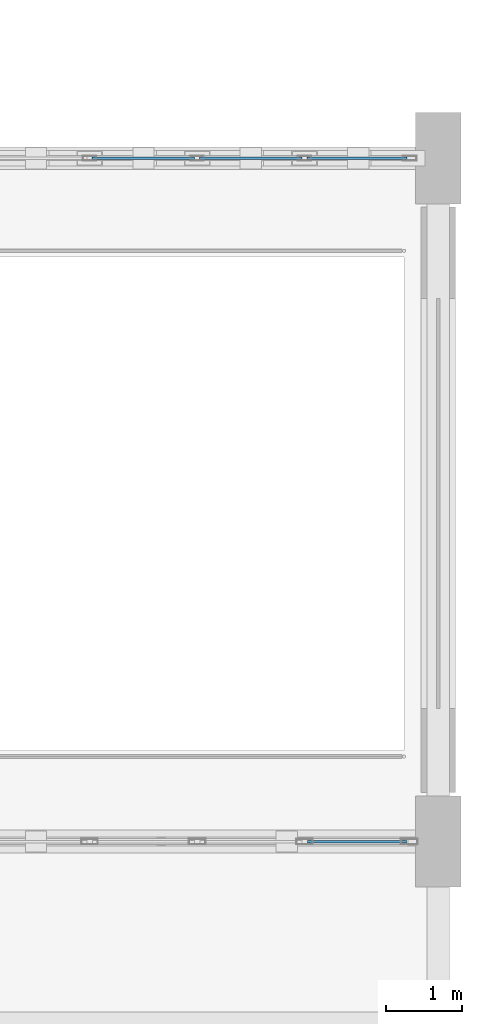
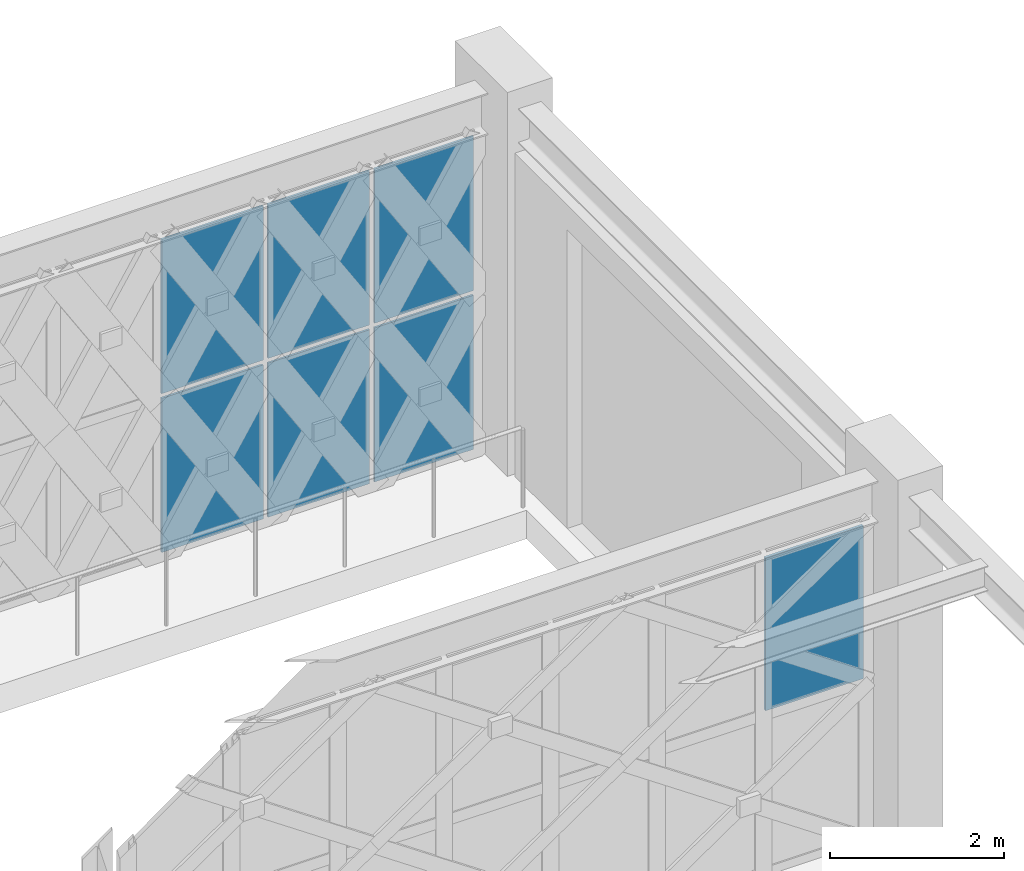
# One storey, part 113 of 140: 7 plates, 2 elements without a shape of their own.
"""IFC4 building model written with IfcOpenShell, lengths in metres."""

from ifc_helpers import new_model, si_unit, direction, frame, origin, origin_2d, place, context, subcontext, project, spatial, rectangle, extrude, material, layer, layer_set, type_object, element, aggregate, save


model = new_model("IFC4")

# Units and contexts
model_context = context("Model", 3, precision=1e-05, world=origin(), true_north=direction((0.0, 1.0)))
body_context = subcontext(model_context, "Body", "Model", "MODEL_VIEW")
ifc_project = project(units=[si_unit("LENGTHUNIT", "METRE"), si_unit("AREAUNIT", "SQUARE_METRE"), si_unit("VOLUMEUNIT", "CUBIC_METRE"), si_unit("PLANEANGLEUNIT", "RADIAN"), si_unit("MASSUNIT", "GRAM", prefix="KILO")], contexts=[model_context])

# Site, building, storey
site_placement = place(None, origin())
site = spatial("IfcSite", under=ifc_project, at=site_placement, CompositionType="ELEMENT")
building_placement = place(site_placement, origin())
building = spatial("IfcBuilding", under=site, at=building_placement, Name="Haizhuo Lancet Aquarium", CompositionType="ELEMENT")
storey_placement = place(building_placement, origin())
storey = spatial("IfcBuildingStorey", under=building, at=storey_placement, Name="L00", CompositionType="ELEMENT", Elevation=0.0)

# Curtain wall, plates
ifc_material_1 = material(Name="Aluminium 6063-T6", Category="aluminium")
curtain_wall_type_1 = type_object("IfcCurtainWallType", Name="CWD-9910x4530", PredefinedType="NOTDEFINED", material=ifc_material_1)
curtain_wall_1_placement = place(storey_placement, origin())
curtain_wall_1 = element("IfcCurtainWall", 1, at=curtain_wall_1_placement, inside=storey, type_object=curtain_wall_type_1, Name="L00 curtain wall CW-V7-L00-277", PredefinedType="NOTDEFINED")
ifc_material_2 = material(Name="Laminated Low-E Glass", Category="glass")
ifc_layer_1 = layer(ifc_material_2, 0.028076171875)
ifc_layer_set_1 = layer_set([ifc_layer_1], Name="Laminated Low-E Glass")
plate_type_1 = type_object("IfcPlateType", Name="CW-PNL-1", PredefinedType="CURTAIN_PANEL", material=ifc_layer_set_1)
plate_1_placement = place(storey_placement, frame((78.615966796875, 18.0, 0.06494140625), z_axis=(0.0, 0.0, 1.0), x_axis=(1.0, 0.0, 0.0)))
plate_1 = element("IfcPlate", 2, at=plate_1_placement, type_object=plate_type_1, Name="CWD-99x45 panel 5.1", PredefinedType="CURTAIN_PANEL", context=body_context, shape_type="SweptSolid", body=[
    extrude(rectangle(XDim=1.35107421875, YDim=0.028076171875, at=origin_2d()), origin(), (0.0, 0.0, 1.0), 2.16796875),
])
plate_2_placement = place(storey_placement, frame((78.615966796875, 18.0, 2.298583984375), z_axis=(0.0, 0.0, 1.0), x_axis=(1.0, 0.0, 0.0)))
plate_2 = element("IfcPlate", 3, at=plate_2_placement, type_object=plate_type_1, Name="CWD-99x45 panel 5.2", PredefinedType="CURTAIN_PANEL", context=body_context, shape_type="SweptSolid", body=[
    extrude(rectangle(XDim=1.35107421875, YDim=0.028076171875, at=origin_2d()), origin(), (0.0, 0.0, 1.0), 2.1689453125),
])
plate_3_placement = place(storey_placement, frame((80.031005859375, 18.0, 0.06494140625), z_axis=(0.0, 0.0, 1.0), x_axis=(1.0, 0.0, 0.0)))
plate_3 = element("IfcPlate", 4, at=plate_3_placement, type_object=plate_type_1, Name="CWD-99x45 panel 6.1", PredefinedType="CURTAIN_PANEL", context=body_context, shape_type="SweptSolid", body=[
    extrude(rectangle(XDim=1.35107421875, YDim=0.028076171875, at=origin_2d()), origin(), (0.0, 0.0, 1.0), 2.16796875),
])
plate_4_placement = place(storey_placement, frame((80.031005859375, 18.0, 2.298583984375), z_axis=(0.0, 0.0, 1.0), x_axis=(1.0, 0.0, 0.0)))
plate_4 = element("IfcPlate", 5, at=plate_4_placement, type_object=plate_type_1, Name="CWD-99x45 panel 6.2", PredefinedType="CURTAIN_PANEL", context=body_context, shape_type="SweptSolid", body=[
    extrude(rectangle(XDim=1.35107421875, YDim=0.028076171875, at=origin_2d()), origin(), (0.0, 0.0, 1.0), 2.1689453125),
])
plate_5_placement = place(storey_placement, frame((81.430908203125, 18.0, 0.06494140625), z_axis=(0.0, 0.0, 1.0), x_axis=(1.0, 0.0, 0.0)))
plate_5 = element("IfcPlate", 6, at=plate_5_placement, type_object=plate_type_1, Name="CWD-99x45 panel 7.1", PredefinedType="CURTAIN_PANEL", context=body_context, shape_type="SweptSolid", body=[
    extrude(rectangle(XDim=1.318115234375, YDim=0.028076171875, at=origin_2d()), origin(), (0.0, 0.0, 1.0), 2.16796875),
])
plate_6_placement = place(storey_placement, frame((81.430908203125, 18.0, 2.298583984375), z_axis=(0.0, 0.0, 1.0), x_axis=(1.0, 0.0, 0.0)))
plate_6 = element("IfcPlate", 7, at=plate_6_placement, type_object=plate_type_1, Name="CWD-99x45 panel 7.2", PredefinedType="CURTAIN_PANEL", context=body_context, shape_type="SweptSolid", body=[
    extrude(rectangle(XDim=1.318115234375, YDim=0.028076171875, at=origin_2d()), origin(), (0.0, 0.0, 1.0), 2.1689453125),
])
aggregate(curtain_wall_1, [plate_1, plate_2, plate_3, plate_4, plate_5, plate_6])

# Curtain wall, plate
curtain_wall_type_2 = type_object("IfcCurtainWallType", Name="CWO-9910x4530", PredefinedType="NOTDEFINED", material=ifc_material_1)
curtain_wall_2_placement = place(storey_placement, origin())
curtain_wall_2 = element("IfcCurtainWall", 8, at=curtain_wall_2_placement, inside=storey, type_object=curtain_wall_type_2, Name="L00 curtain wall CW-V7-L00-278", PredefinedType="NOTDEFINED")
ifc_layer_2 = layer(ifc_material_2, 0.033935546875)
ifc_layer_set_2 = layer_set([ifc_layer_2], Name="Laminated Low-E Glass")
plate_type_2 = type_object("IfcPlateType", Name="CW-PNL-2", PredefinedType="CURTAIN_PANEL", material=ifc_layer_set_2)
plate_7_placement = place(storey_placement, frame((81.427978515625, 9.0, 2.302734375), z_axis=(0.0, 0.0, 1.0), x_axis=(-1.0, 0.0, 0.0)))
plate_7 = element("IfcPlate", 9, at=plate_7_placement, type_object=plate_type_2, Name="CWO-99x45 panel 1.2", PredefinedType="CURTAIN_PANEL", context=body_context, shape_type="SweptSolid", body=[
    extrude(rectangle(XDim=1.302978515625, YDim=0.033935546875, at=origin_2d()), origin(), (0.0, 0.0, 1.0), 2.154052734375),
])
aggregate(curtain_wall_2, [plate_7])

save(model, "model.ifc")
